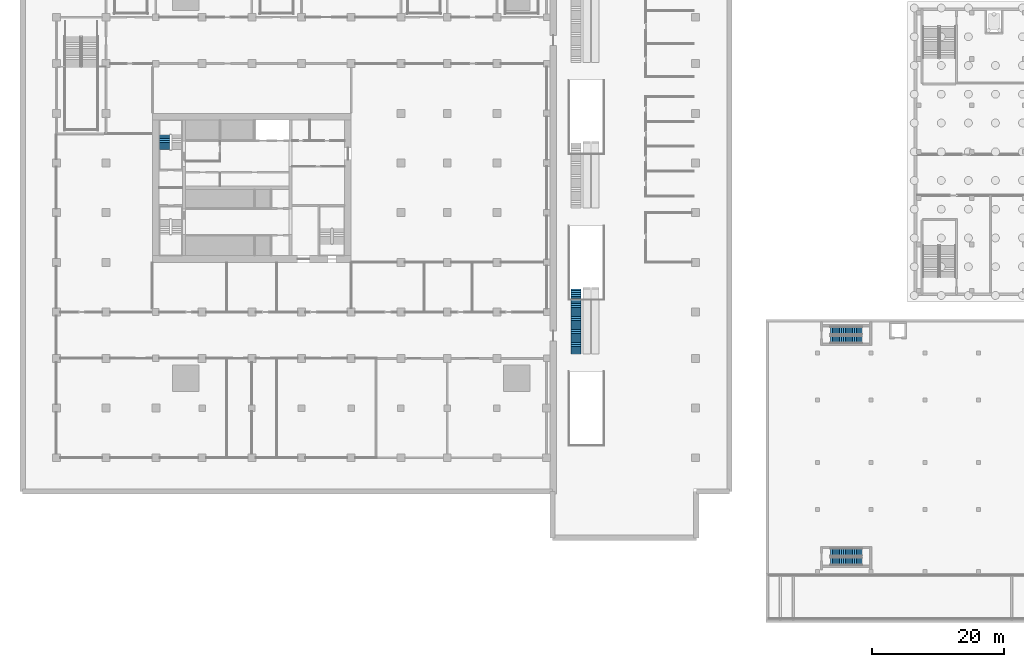
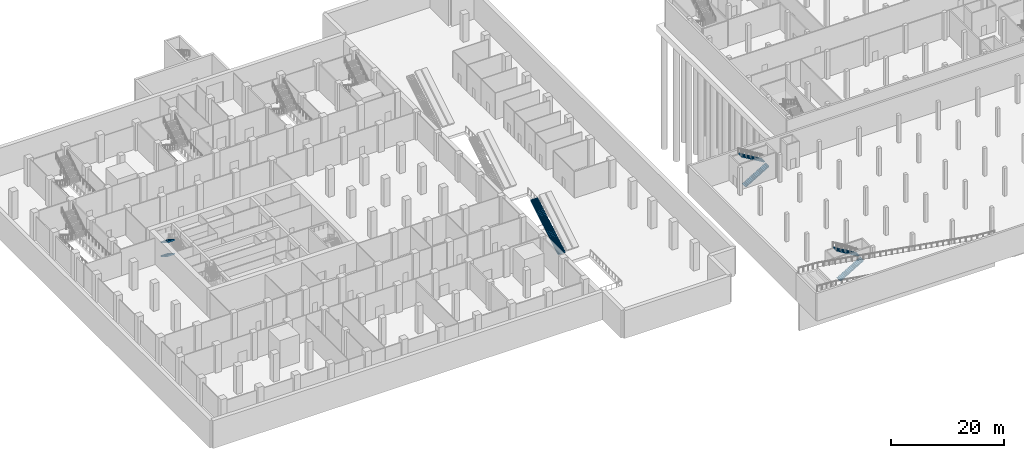
# One storey, part 21 of 45: 7 stair flights, 4 elements without a shape of their own.
"""IFC4 building model written with IfcOpenShell, lengths in metres."""

from ifc_helpers import new_model, si_unit, direction, frame, origin, place, context, subcontext, project, spatial, polyline, outline, extrude, material, type_object, element, aggregate, save


model = new_model("IFC4")

# Units and contexts
model_context = context("Model", 3, precision=1e-05, world=origin(), true_north=direction((0.0, 1.0)))
body_context = subcontext(model_context, "Body", "Model", "MODEL_VIEW")
ifc_project = project(units=[si_unit("LENGTHUNIT", "METRE"), si_unit("AREAUNIT", "SQUARE_METRE"), si_unit("VOLUMEUNIT", "CUBIC_METRE"), si_unit("PLANEANGLEUNIT", "RADIAN"), si_unit("MASSUNIT", "GRAM", prefix="KILO")], contexts=[model_context])

# Site, building, storey
site_placement = place(None, origin())
site = spatial("IfcSite", under=ifc_project, at=site_placement, CompositionType="ELEMENT")
building_placement = place(site_placement, origin())
building = spatial("IfcBuilding", under=site, at=building_placement, Name="Tamorin Gate", CompositionType="ELEMENT")
storey_placement = place(building_placement, frame((0.0, 0.0, -6.0)))
storey = spatial("IfcBuildingStorey", under=building, at=storey_placement, Name="B1", CompositionType="ELEMENT", Elevation=-6.0)

# Stair, stair flights
ifc_material_1 = material(Name="Concrete C40/50", Category="concrete")
stair_type_1 = type_object("IfcStairType", Name="Exit stair", PredefinedType="HALF_TURN_STAIR", material=ifc_material_1)
stair_1_placement = place(storey_placement, origin())
stair_1 = element("IfcStair", 1, at=stair_1_placement, inside=storey, type_object=stair_type_1, Name="B1 stair ST2", PredefinedType="HALF_TURN_STAIR")
stair_flight_type_1 = type_object("IfcStairFlightType", Name="Exit stair flight", PredefinedType="STRAIGHT", material=ifc_material_1)
stair_flight_1_placement = place(storey_placement, frame((31.824951171875, 79.239990234375, 1.5), z_axis=(0.0, 0.0, 1.0), x_axis=(0.0, -1.0, 0.0)))
stair_flight_1 = element("IfcStairFlight", 2, at=stair_flight_1_placement, type_object=stair_flight_type_1, Name="ST2 flight 2", NumberOfRisers=9, NumberOfTreads=8, PredefinedType="STRAIGHT", RiserHeight=0.166666667, TreadLength=0.28, context=body_context, shape_type="SweptSolid", body=[
    extrude(outline(polyline([(-0.00048828125, 0.0), (-0.00048828125, 0.001708984375), (-0.00048828125, 0.00341796875), (-0.00048828125, 0.0048828125), (-0.00048828125, 0.006591796875), (-0.00048828125, 0.00830078125), (-0.00048828125, 0.010009765625), (-0.00048828125, 0.011474609375), (-0.00048828125, 0.01318359375), (-0.00048828125, 0.014892578125), (-0.00048828125, 0.0166015625), (-0.00048828125, 0.01806640625), (-0.00048828125, 0.019775390625), (-0.00048828125, 0.021484375), (-0.00048828125, 0.023193359375), (-0.00048828125, 0.024658203125), (-0.00048828125, 0.0263671875), (-0.00048828125, 0.028076171875), (-0.00048828125, 0.02978515625), (-0.00048828125, 0.03125), (-0.00048828125, 0.032958984375), (-0.00048828125, 0.03466796875), (-0.00048828125, 0.036376953125), (-0.00048828125, 0.037841796875), (-0.00048828125, 0.03955078125), (-0.00048828125, 0.041259765625), (-0.00048828125, 0.04296875), (-0.00048828125, 0.04443359375), (-0.00048828125, 0.046142578125), (-0.00048828125, 0.0478515625), (-0.00048828125, 0.049560546875), (-0.00048828125, 0.05126953125), (-0.00048828125, 0.052734375), (-0.00048828125, 0.054443359375), (-0.00048828125, 0.05615234375), (-0.00048828125, 0.057861328125), (-0.00048828125, 0.059326171875), (-0.00048828125, 0.06103515625), (-0.00048828125, 0.062744140625), (-0.00048828125, 0.064453125), (-0.00048828125, 0.06591796875), (-0.00048828125, 0.067626953125), (-0.00048828125, 0.0693359375), (-0.00048828125, 0.071044921875), (-0.00048828125, 0.072509765625), (-0.00048828125, 0.07421875), (-0.00048828125, 0.075927734375), (-0.00048828125, 0.07763671875), (-0.00048828125, 0.0791015625), (-0.00048828125, 0.080810546875), (-0.00048828125, 0.08251953125), (-0.00048828125, 0.084228515625), (-0.00048828125, 0.085693359375), (-0.00048828125, 0.08740234375), (-0.00048828125, 0.089111328125), (-0.00048828125, 0.0908203125), (-0.00048828125, 0.092529296875), (-0.00048828125, 0.093994140625), (-0.00048828125, 0.095703125), (-0.00048828125, 0.097412109375), (-0.00048828125, 0.09912109375), (-0.00048828125, 0.1005859375), (-0.00048828125, 0.102294921875), (-0.00048828125, 0.10400390625), (-0.00048828125, 0.105712890625), (-0.00048828125, 0.107177734375), (-0.00048828125, 0.10888671875), (-0.00048828125, 0.110595703125), (-0.00048828125, 0.1123046875), (-0.00048828125, 0.11376953125), (-0.00048828125, 0.115478515625), (-0.00048828125, 0.1171875), (-0.00048828125, 0.118896484375), (-0.00048828125, 0.120361328125), (-0.00048828125, 0.1220703125), (-0.00048828125, 0.123779296875), (-0.00048828125, 0.12548828125), (-0.00048828125, 0.126953125), (-0.00048828125, 0.128662109375), (-0.00048828125, 0.13037109375), (-0.00048828125, 0.132080078125), (-0.00048828125, 0.133544921875), (-0.00048828125, 0.13525390625), (-0.00048828125, 0.136962890625), (-0.00048828125, 0.138671875), (-0.00048828125, 0.140380859375), (-0.00048828125, 0.141845703125), (-0.00048828125, 0.1435546875), (-0.00048828125, 0.145263671875), (-0.00048828125, 0.14697265625), (-0.00048828125, 0.1484375), (-0.00048828125, 0.150146484375), (-0.00048828125, 0.15185546875), (-0.00048828125, 0.153564453125), (-0.00048828125, 0.155029296875), (-0.00048828125, 0.15673828125), (-0.00048828125, 0.158447265625), (-0.00048828125, 0.16015625), (-0.00048828125, 0.16162109375), (-0.00048828125, 0.163330078125), (-0.00048828125, 0.1650390625), (-0.00048828125, 0.166748046875), (0.280029296875, 0.166748046875), (0.280029296875, 0.333251953125), (0.56005859375, 0.333251953125), (0.56005859375, 0.5), (0.840087890625, 0.5), (0.840087890625, 0.666748046875), (1.1201171875, 0.666748046875), (1.1201171875, 0.833251953125), (1.39990234375, 0.833251953125), (1.39990234375, 1.0), (1.679931640625, 1.0), (1.679931640625, 1.166748046875), (1.9599609375, 1.166748046875), (1.9599609375, 1.333251953125), (2.239990234375, 1.333251953125), (2.239990234375, 1.5), (2.240478515625, 1.5), (2.240478515625, 1.49658203125), (2.240478515625, 1.4931640625), (2.240478515625, 1.48974609375), (2.240478515625, 1.486572265625), (2.240478515625, 1.483154296875), (2.240478515625, 1.479736328125), (2.240478515625, 1.476318359375), (2.240478515625, 1.472900390625), (2.240478515625, 1.469482421875), (2.240478515625, 1.46630859375), (2.240478515625, 1.462890625), (2.240478515625, 1.45947265625), (2.240478515625, 1.4560546875), (2.240478515625, 1.45263671875), (2.240478515625, 1.44921875), (2.240478515625, 1.446044921875), (2.240478515625, 1.442626953125), (2.240478515625, 1.439208984375), (2.240478515625, 1.435791015625), (2.240478515625, 1.432373046875), (2.240478515625, 1.428955078125), (2.240478515625, 1.42578125), (2.240478515625, 1.42236328125), (2.240478515625, 1.4189453125), (2.240478515625, 1.41552734375), (2.240478515625, 1.412109375), (2.240478515625, 1.40869140625), (2.240478515625, 1.405517578125), (2.240478515625, 1.402099609375), (2.240478515625, 1.398681640625), (2.240478515625, 1.395263671875), (2.240478515625, 1.391845703125), (2.240478515625, 1.388427734375), (2.240478515625, 1.38525390625), (2.240478515625, 1.3818359375), (2.240478515625, 1.37841796875), (2.240478515625, 1.375), (2.240478515625, 1.37158203125), (2.240478515625, 1.3681640625), (2.240478515625, 1.364990234375), (2.240478515625, 1.361572265625), (2.240478515625, 1.358154296875), (2.240478515625, 1.354736328125), (2.240478515625, 1.351318359375), (2.240478515625, 1.347900390625), (2.240478515625, 1.3447265625), (2.240478515625, 1.34130859375), (2.240478515625, 1.337890625), (2.240478515625, 1.33447265625), (2.240478515625, 1.3310546875), (2.240478515625, 1.32763671875), (2.240478515625, 1.324462890625), (2.240478515625, 1.321044921875), (2.240478515625, 1.317626953125), (2.240478515625, 1.314208984375), (2.240478515625, 1.310791015625), (2.240478515625, 1.307373046875), (2.240478515625, 1.30419921875), (2.240478515625, 1.30078125), (2.240478515625, 1.29736328125), (2.240478515625, 1.2939453125), (2.240478515625, 1.29052734375), (2.240478515625, 1.287109375), (2.240478515625, 1.283935546875), (2.240478515625, 1.280517578125), (2.240478515625, 1.277099609375), (2.240478515625, 1.273681640625), (2.240478515625, 1.270263671875), (2.240478515625, 1.266845703125), (2.240478515625, 1.263671875), (2.240478515625, 1.26025390625), (2.240478515625, 1.2568359375), (2.240478515625, 1.25341796875), (2.240478515625, 1.25), (2.240478515625, 1.24658203125), (2.240478515625, 1.243408203125), (2.240478515625, 1.239990234375), (2.240478515625, 1.236572265625), (2.240478515625, 1.233154296875), (2.240478515625, 1.229736328125), (2.240478515625, 1.226318359375), (2.240478515625, 1.22314453125), (2.240478515625, 1.2197265625), (2.240478515625, 1.21630859375), (2.240478515625, 1.212890625), (2.240478515625, 1.20947265625), (2.240478515625, 1.2060546875), (2.240478515625, 1.202880859375), (2.240478515625, 1.199462890625), (2.240478515625, 1.196044921875), (2.240478515625, 1.192626953125), (2.240478515625, 1.189208984375), (2.240478515625, 1.185791015625), (2.240478515625, 1.1826171875), (2.240478515625, 1.17919921875), (2.240478515625, 1.17578125), (2.240478515625, 1.17236328125), (2.240478515625, 1.1689453125), (2.240478515625, 1.16552734375), (2.240478515625, 1.162353515625), (2.240478515625, 1.158935546875), (2.239990234375, 1.158935546875), (0.29296875, 0.0), (-0.00048828125, 0.0)])), frame((0.0, 0.824951171875, 0.0), z_axis=(0.0, -1.0, 0.0), x_axis=(1.0, 0.0, 0.0)), (0.0, 0.0, 1.0), 1.64990234375),
])
stair_flight_2_placement = place(storey_placement, frame((31.824951171875, 79.239990234375, 4.5), z_axis=(0.0, 0.0, 1.0), x_axis=(0.0, -1.0, 0.0)))
stair_flight_2 = element("IfcStairFlight", 3, at=stair_flight_2_placement, type_object=stair_flight_type_1, Name="ST2 flight 4", NumberOfRisers=9, NumberOfTreads=8, PredefinedType="STRAIGHT", RiserHeight=0.166666667, TreadLength=0.28, context=body_context, shape_type="SweptSolid", body=[
    extrude(outline(polyline([(-0.00048828125, 0.0), (-0.00048828125, 0.001708984375), (-0.00048828125, 0.00341796875), (-0.00048828125, 0.0048828125), (-0.00048828125, 0.006591796875), (-0.00048828125, 0.00830078125), (-0.00048828125, 0.010009765625), (-0.00048828125, 0.011474609375), (-0.00048828125, 0.01318359375), (-0.00048828125, 0.014892578125), (-0.00048828125, 0.0166015625), (-0.00048828125, 0.01806640625), (-0.00048828125, 0.019775390625), (-0.00048828125, 0.021484375), (-0.00048828125, 0.023193359375), (-0.00048828125, 0.024658203125), (-0.00048828125, 0.0263671875), (-0.00048828125, 0.028076171875), (-0.00048828125, 0.02978515625), (-0.00048828125, 0.03125), (-0.00048828125, 0.032958984375), (-0.00048828125, 0.03466796875), (-0.00048828125, 0.036376953125), (-0.00048828125, 0.037841796875), (-0.00048828125, 0.03955078125), (-0.00048828125, 0.041259765625), (-0.00048828125, 0.04296875), (-0.00048828125, 0.04443359375), (-0.00048828125, 0.046142578125), (-0.00048828125, 0.0478515625), (-0.00048828125, 0.049560546875), (-0.00048828125, 0.05126953125), (-0.00048828125, 0.052734375), (-0.00048828125, 0.054443359375), (-0.00048828125, 0.05615234375), (-0.00048828125, 0.057861328125), (-0.00048828125, 0.059326171875), (-0.00048828125, 0.06103515625), (-0.00048828125, 0.062744140625), (-0.00048828125, 0.064453125), (-0.00048828125, 0.06591796875), (-0.00048828125, 0.067626953125), (-0.00048828125, 0.0693359375), (-0.00048828125, 0.071044921875), (-0.00048828125, 0.072509765625), (-0.00048828125, 0.07421875), (-0.00048828125, 0.075927734375), (-0.00048828125, 0.07763671875), (-0.00048828125, 0.0791015625), (-0.00048828125, 0.080810546875), (-0.00048828125, 0.08251953125), (-0.00048828125, 0.084228515625), (-0.00048828125, 0.085693359375), (-0.00048828125, 0.08740234375), (-0.00048828125, 0.089111328125), (-0.00048828125, 0.0908203125), (-0.00048828125, 0.092529296875), (-0.00048828125, 0.093994140625), (-0.00048828125, 0.095703125), (-0.00048828125, 0.097412109375), (-0.00048828125, 0.09912109375), (-0.00048828125, 0.1005859375), (-0.00048828125, 0.102294921875), (-0.00048828125, 0.10400390625), (-0.00048828125, 0.105712890625), (-0.00048828125, 0.107177734375), (-0.00048828125, 0.10888671875), (-0.00048828125, 0.110595703125), (-0.00048828125, 0.1123046875), (-0.00048828125, 0.11376953125), (-0.00048828125, 0.115478515625), (-0.00048828125, 0.1171875), (-0.00048828125, 0.118896484375), (-0.00048828125, 0.120361328125), (-0.00048828125, 0.1220703125), (-0.00048828125, 0.123779296875), (-0.00048828125, 0.12548828125), (-0.00048828125, 0.126953125), (-0.00048828125, 0.128662109375), (-0.00048828125, 0.13037109375), (-0.00048828125, 0.132080078125), (-0.00048828125, 0.133544921875), (-0.00048828125, 0.13525390625), (-0.00048828125, 0.136962890625), (-0.00048828125, 0.138671875), (-0.00048828125, 0.140380859375), (-0.00048828125, 0.141845703125), (-0.00048828125, 0.1435546875), (-0.00048828125, 0.145263671875), (-0.00048828125, 0.14697265625), (-0.00048828125, 0.1484375), (-0.00048828125, 0.150146484375), (-0.00048828125, 0.15185546875), (-0.00048828125, 0.153564453125), (-0.00048828125, 0.155029296875), (-0.00048828125, 0.15673828125), (-0.00048828125, 0.158447265625), (-0.00048828125, 0.16015625), (-0.00048828125, 0.16162109375), (-0.00048828125, 0.163330078125), (-0.00048828125, 0.1650390625), (-0.00048828125, 0.166748046875), (0.280029296875, 0.166748046875), (0.280029296875, 0.333251953125), (0.56005859375, 0.333251953125), (0.56005859375, 0.5), (0.840087890625, 0.5), (0.840087890625, 0.666748046875), (1.1201171875, 0.666748046875), (1.1201171875, 0.833251953125), (1.39990234375, 0.833251953125), (1.39990234375, 1.0), (1.679931640625, 1.0), (1.679931640625, 1.166748046875), (1.9599609375, 1.166748046875), (1.9599609375, 1.333251953125), (2.239990234375, 1.333251953125), (2.239990234375, 1.5), (2.240478515625, 1.5), (2.240478515625, 1.49658203125), (2.240478515625, 1.4931640625), (2.240478515625, 1.48974609375), (2.240478515625, 1.486572265625), (2.240478515625, 1.483154296875), (2.240478515625, 1.479736328125), (2.240478515625, 1.476318359375), (2.240478515625, 1.472900390625), (2.240478515625, 1.469482421875), (2.240478515625, 1.46630859375), (2.240478515625, 1.462890625), (2.240478515625, 1.45947265625), (2.240478515625, 1.4560546875), (2.240478515625, 1.45263671875), (2.240478515625, 1.44921875), (2.240478515625, 1.446044921875), (2.240478515625, 1.442626953125), (2.240478515625, 1.439208984375), (2.240478515625, 1.435791015625), (2.240478515625, 1.432373046875), (2.240478515625, 1.428955078125), (2.240478515625, 1.42578125), (2.240478515625, 1.42236328125), (2.240478515625, 1.4189453125), (2.240478515625, 1.41552734375), (2.240478515625, 1.412109375), (2.240478515625, 1.40869140625), (2.240478515625, 1.405517578125), (2.240478515625, 1.402099609375), (2.240478515625, 1.398681640625), (2.240478515625, 1.395263671875), (2.240478515625, 1.391845703125), (2.240478515625, 1.388427734375), (2.240478515625, 1.38525390625), (2.240478515625, 1.3818359375), (2.240478515625, 1.37841796875), (2.240478515625, 1.375), (2.240478515625, 1.37158203125), (2.240478515625, 1.3681640625), (2.240478515625, 1.364990234375), (2.240478515625, 1.361572265625), (2.240478515625, 1.358154296875), (2.240478515625, 1.354736328125), (2.240478515625, 1.351318359375), (2.240478515625, 1.347900390625), (2.240478515625, 1.3447265625), (2.240478515625, 1.34130859375), (2.240478515625, 1.337890625), (2.240478515625, 1.33447265625), (2.240478515625, 1.3310546875), (2.240478515625, 1.32763671875), (2.240478515625, 1.324462890625), (2.240478515625, 1.321044921875), (2.240478515625, 1.317626953125), (2.240478515625, 1.314208984375), (2.240478515625, 1.310791015625), (2.240478515625, 1.307373046875), (2.240478515625, 1.30419921875), (2.240478515625, 1.30078125), (2.240478515625, 1.29736328125), (2.240478515625, 1.2939453125), (2.240478515625, 1.29052734375), (2.240478515625, 1.287109375), (2.240478515625, 1.283935546875), (2.240478515625, 1.280517578125), (2.240478515625, 1.277099609375), (2.240478515625, 1.273681640625), (2.240478515625, 1.270263671875), (2.240478515625, 1.266845703125), (2.240478515625, 1.263671875), (2.240478515625, 1.26025390625), (2.240478515625, 1.2568359375), (2.240478515625, 1.25341796875), (2.240478515625, 1.25), (2.240478515625, 1.24658203125), (2.240478515625, 1.243408203125), (2.240478515625, 1.239990234375), (2.240478515625, 1.236572265625), (2.240478515625, 1.233154296875), (2.240478515625, 1.229736328125), (2.240478515625, 1.226318359375), (2.240478515625, 1.22314453125), (2.240478515625, 1.2197265625), (2.240478515625, 1.21630859375), (2.240478515625, 1.212890625), (2.240478515625, 1.20947265625), (2.240478515625, 1.2060546875), (2.240478515625, 1.202880859375), (2.240478515625, 1.199462890625), (2.240478515625, 1.196044921875), (2.240478515625, 1.192626953125), (2.240478515625, 1.189208984375), (2.240478515625, 1.185791015625), (2.240478515625, 1.1826171875), (2.240478515625, 1.17919921875), (2.240478515625, 1.17578125), (2.240478515625, 1.17236328125), (2.240478515625, 1.1689453125), (2.240478515625, 1.16552734375), (2.240478515625, 1.162353515625), (2.240478515625, 1.158935546875), (2.239990234375, 1.158935546875), (0.29296875, 0.0), (-0.00048828125, 0.0)])), frame((0.0, 0.824951171875, 0.0), z_axis=(0.0, -1.0, 0.0), x_axis=(1.0, 0.0, 0.0)), (0.0, 0.0, 1.0), 1.64990234375),
])
aggregate(stair_1, [stair_flight_1, stair_flight_2])

stair_type_2 = type_object("IfcStairType", Name="Exit stair 1200 C40/50", PredefinedType="HALF_TURN_STAIR", material=ifc_material_1)
stair_2_placement = place(storey_placement, origin())
stair_2 = element("IfcStair", 4, at=stair_2_placement, inside=storey, type_object=stair_type_2, Name="B1 SB6", PredefinedType="HALF_TURN_STAIR")
stair_flight_type_2 = type_object("IfcStairFlightType", Name="Exit stair flight 1200 C40/50", PredefinedType="STRAIGHT", material=ifc_material_1)
stair_flight_3_placement = place(storey_placement, frame((132.35009765625, 14.85009765625, 0.0), z_axis=(0.0, 0.0, 1.0), x_axis=(1.0, 0.0, 0.0)))
stair_flight_3 = element("IfcStairFlight", 5, at=stair_flight_3_placement, type_object=stair_flight_type_2, Name="SB6 flight 1", NumberOfRisers=18, NumberOfTreads=17, PredefinedType="STRAIGHT", RiserHeight=0.166666667, TreadLength=0.28, context=body_context, shape_type="SweptSolid", body=[
    extrude(outline(polyline([(-0.00048828125, 0.0), (-0.00048828125, 0.166748046875), (0.280029296875, 0.166748046875), (0.280029296875, 0.333251953125), (0.56005859375, 0.333251953125), (0.56005859375, 0.5), (0.840087890625, 0.5), (0.840087890625, 0.666748046875), (1.1201171875, 0.666748046875), (1.1201171875, 0.833251953125), (1.39990234375, 0.833251953125), (1.39990234375, 1.0), (1.679931640625, 1.0), (1.679931640625, 1.166748046875), (1.9599609375, 1.166748046875), (1.9599609375, 1.333251953125), (2.239990234375, 1.333251953125), (2.239990234375, 1.5), (2.52001953125, 1.5), (2.52001953125, 1.666748046875), (2.800048828125, 1.666748046875), (2.800048828125, 1.833251953125), (3.080078125, 1.833251953125), (3.080078125, 2.0), (3.360107421875, 2.0), (3.360107421875, 2.166748046875), (3.639892578125, 2.166748046875), (3.639892578125, 2.333251953125), (3.919921875, 2.333251953125), (3.919921875, 2.5), (4.199951171875, 2.5), (4.199951171875, 2.666748046875), (4.47998046875, 2.666748046875), (4.47998046875, 2.833251953125), (4.760009765625, 2.833251953125), (4.760009765625, 3.0), (4.760498046875, 3.0), (4.760498046875, 2.658935546875), (4.760009765625, 2.658935546875), (0.29296875, 0.0), (-0.00048828125, 0.0)])), frame((0.0, 0.60009765625, 0.0), z_axis=(0.0, -1.0, 0.0), x_axis=(1.0, 0.0, 0.0)), (0.0, 0.0, 1.0), 1.199951171875),
])
stair_flight_4_placement = place(storey_placement, frame((137.110107421875, 16.199951171875, 3.0), z_axis=(0.0, 0.0, 1.0), x_axis=(-1.0, 0.0, 0.0)))
stair_flight_4 = element("IfcStairFlight", 6, at=stair_flight_4_placement, type_object=stair_flight_type_2, Name="SB6 flight 2", NumberOfRisers=18, NumberOfTreads=17, PredefinedType="STRAIGHT", RiserHeight=0.166666667, TreadLength=0.28, context=body_context, shape_type="SweptSolid", body=[
    extrude(outline(polyline([(-0.00048828125, 0.0), (-0.00048828125, 0.166748046875), (0.280029296875, 0.166748046875), (0.280029296875, 0.333251953125), (0.56005859375, 0.333251953125), (0.56005859375, 0.5), (0.840087890625, 0.5), (0.840087890625, 0.666748046875), (1.1201171875, 0.666748046875), (1.1201171875, 0.833251953125), (1.39990234375, 0.833251953125), (1.39990234375, 1.0), (1.679931640625, 1.0), (1.679931640625, 1.166748046875), (1.9599609375, 1.166748046875), (1.9599609375, 1.333251953125), (2.239990234375, 1.333251953125), (2.239990234375, 1.5), (2.52001953125, 1.5), (2.52001953125, 1.666748046875), (2.800048828125, 1.666748046875), (2.800048828125, 1.833251953125), (3.080078125, 1.833251953125), (3.080078125, 2.0), (3.360107421875, 2.0), (3.360107421875, 2.166748046875), (3.639892578125, 2.166748046875), (3.639892578125, 2.333251953125), (3.919921875, 2.333251953125), (3.919921875, 2.5), (4.199951171875, 2.5), (4.199951171875, 2.666748046875), (4.47998046875, 2.666748046875), (4.47998046875, 2.833251953125), (4.760009765625, 2.833251953125), (4.760009765625, 3.0), (4.760498046875, 3.0), (4.760498046875, 2.658935546875), (4.760009765625, 2.658935546875), (0.29296875, 0.0), (-0.00048828125, 0.0)])), frame((0.0, 0.60009765625, 0.0), z_axis=(0.0, -1.0, 0.0), x_axis=(1.0, 0.0, 0.0)), (0.0, 0.0, 1.0), 1.199951171875),
])
aggregate(stair_2, [stair_flight_3, stair_flight_4])

stair_3_placement = place(storey_placement, origin())
stair_3 = element("IfcStair", 7, at=stair_3_placement, inside=storey, type_object=stair_type_2, Name="B1 SB7", PredefinedType="HALF_TURN_STAIR")
stair_flight_5_placement = place(storey_placement, frame((132.35009765625, 48.35009765625, 0.0), z_axis=(0.0, 0.0, 1.0), x_axis=(1.0, 0.0, 0.0)))
stair_flight_5 = element("IfcStairFlight", 8, at=stair_flight_5_placement, type_object=stair_flight_type_2, Name="SB7 flight 1", NumberOfRisers=18, NumberOfTreads=17, PredefinedType="STRAIGHT", RiserHeight=0.166666667, TreadLength=0.28, context=body_context, shape_type="SweptSolid", body=[
    extrude(outline(polyline([(-0.00048828125, 0.0), (-0.00048828125, 0.166748046875), (0.280029296875, 0.166748046875), (0.280029296875, 0.333251953125), (0.56005859375, 0.333251953125), (0.56005859375, 0.5), (0.840087890625, 0.5), (0.840087890625, 0.666748046875), (1.1201171875, 0.666748046875), (1.1201171875, 0.833251953125), (1.39990234375, 0.833251953125), (1.39990234375, 1.0), (1.679931640625, 1.0), (1.679931640625, 1.166748046875), (1.9599609375, 1.166748046875), (1.9599609375, 1.333251953125), (2.239990234375, 1.333251953125), (2.239990234375, 1.5), (2.52001953125, 1.5), (2.52001953125, 1.666748046875), (2.800048828125, 1.666748046875), (2.800048828125, 1.833251953125), (3.080078125, 1.833251953125), (3.080078125, 2.0), (3.360107421875, 2.0), (3.360107421875, 2.166748046875), (3.639892578125, 2.166748046875), (3.639892578125, 2.333251953125), (3.919921875, 2.333251953125), (3.919921875, 2.5), (4.199951171875, 2.5), (4.199951171875, 2.666748046875), (4.47998046875, 2.666748046875), (4.47998046875, 2.833251953125), (4.760009765625, 2.833251953125), (4.760009765625, 3.0), (4.760498046875, 3.0), (4.760498046875, 2.658935546875), (4.760009765625, 2.658935546875), (0.29296875, 0.0), (-0.00048828125, 0.0)])), frame((0.0, 0.60009765625, 0.0), z_axis=(0.0, -1.0, 0.0), x_axis=(1.0, 0.0, 0.0)), (0.0, 0.0, 1.0), 1.199951171875),
])
stair_flight_6_placement = place(storey_placement, frame((137.110107421875, 49.699951171875, 3.0), z_axis=(0.0, 0.0, 1.0), x_axis=(-1.0, 0.0, 0.0)))
stair_flight_6 = element("IfcStairFlight", 9, at=stair_flight_6_placement, type_object=stair_flight_type_2, Name="SB7 flight 2", NumberOfRisers=18, NumberOfTreads=17, PredefinedType="STRAIGHT", RiserHeight=0.166666667, TreadLength=0.28, context=body_context, shape_type="SweptSolid", body=[
    extrude(outline(polyline([(-0.00048828125, 0.0), (-0.00048828125, 0.166748046875), (0.280029296875, 0.166748046875), (0.280029296875, 0.333251953125), (0.56005859375, 0.333251953125), (0.56005859375, 0.5), (0.840087890625, 0.5), (0.840087890625, 0.666748046875), (1.1201171875, 0.666748046875), (1.1201171875, 0.833251953125), (1.39990234375, 0.833251953125), (1.39990234375, 1.0), (1.679931640625, 1.0), (1.679931640625, 1.166748046875), (1.9599609375, 1.166748046875), (1.9599609375, 1.333251953125), (2.239990234375, 1.333251953125), (2.239990234375, 1.5), (2.52001953125, 1.5), (2.52001953125, 1.666748046875), (2.800048828125, 1.666748046875), (2.800048828125, 1.833251953125), (3.080078125, 1.833251953125), (3.080078125, 2.0), (3.360107421875, 2.0), (3.360107421875, 2.166748046875), (3.639892578125, 2.166748046875), (3.639892578125, 2.333251953125), (3.919921875, 2.333251953125), (3.919921875, 2.5), (4.199951171875, 2.5), (4.199951171875, 2.666748046875), (4.47998046875, 2.666748046875), (4.47998046875, 2.833251953125), (4.760009765625, 2.833251953125), (4.760009765625, 3.0), (4.760498046875, 3.0), (4.760498046875, 2.658935546875), (4.760009765625, 2.658935546875), (0.29296875, 0.0), (-0.00048828125, 0.0)])), frame((0.0, 0.60009765625, 0.0), z_axis=(0.0, -1.0, 0.0), x_axis=(1.0, 0.0, 0.0)), (0.0, 0.0, 1.0), 1.199951171875),
])
aggregate(stair_3, [stair_flight_5, stair_flight_6])

# Stair, stair flight
ifc_material_2 = material(Name="Reinforced concrete C40/50", Category="concrete")
stair_type_3 = type_object("IfcStairType", Name="Station stair 1500", PredefinedType="STRAIGHT_RUN_STAIR", material=ifc_material_2)
stair_4_placement = place(storey_placement, origin())
stair_4 = element("IfcStair", 10, at=stair_4_placement, inside=storey, type_object=stair_type_3, Name="Station stair A1", PredefinedType="STRAIGHT_RUN_STAIR")
stair_flight_type_3 = type_object("IfcStairFlightType", Name="Station stair flight 1500", PredefinedType="STRAIGHT", material=ifc_material_2)
stair_flight_7_placement = place(storey_placement, frame((93.949951171875, 46.199951171875, 0.0), z_axis=(0.0, 0.0, 1.0), x_axis=(0.0, 1.0, 0.0)))
stair_flight_7 = element("IfcStairFlight", 11, at=stair_flight_7_placement, type_object=stair_flight_type_3, Name="SS1 flight 1", NumberOfRisers=36, NumberOfTreads=35, PredefinedType="STRAIGHT", RiserHeight=0.166666667, TreadLength=0.28, context=body_context, shape_type="SweptSolid", body=[
    extrude(outline(polyline([(-0.00048828125, 0.0), (-0.00048828125, 0.166748046875), (0.280029296875, 0.166748046875), (0.280029296875, 0.333251953125), (0.56005859375, 0.333251953125), (0.56005859375, 0.5), (0.840087890625, 0.5), (0.840087890625, 0.666748046875), (1.1201171875, 0.666748046875), (1.1201171875, 0.833251953125), (1.39990234375, 0.833251953125), (1.39990234375, 1.0), (1.679931640625, 1.0), (1.679931640625, 1.166748046875), (1.9599609375, 1.166748046875), (1.9599609375, 1.333251953125), (2.239990234375, 1.333251953125), (2.239990234375, 1.5), (2.52001953125, 1.5), (2.52001953125, 1.666748046875), (2.800048828125, 1.666748046875), (2.800048828125, 1.833251953125), (3.080078125, 1.833251953125), (3.080078125, 2.0), (3.360107421875, 2.0), (3.360107421875, 2.166748046875), (3.639892578125, 2.166748046875), (3.639892578125, 2.333251953125), (3.919921875, 2.333251953125), (3.919921875, 2.5), (4.199951171875, 2.5), (4.199951171875, 2.666748046875), (4.47998046875, 2.666748046875), (4.47998046875, 2.833251953125), (4.760009765625, 2.833251953125), (4.760009765625, 3.0), (5.0400390625, 3.0), (5.0400390625, 3.166748046875), (5.320068359375, 3.166748046875), (5.320068359375, 3.333251953125), (5.60009765625, 3.333251953125), (5.60009765625, 3.5), (5.8798828125, 3.5), (5.8798828125, 3.666748046875), (6.159912109375, 3.666748046875), (6.159912109375, 3.833251953125), (6.43994140625, 3.833251953125), (6.43994140625, 4.0), (6.719970703125, 4.0), (6.719970703125, 4.166748046875), (7.0, 4.166748046875), (7.0, 4.333251953125), (7.280029296875, 4.333251953125), (7.280029296875, 4.5), (7.56005859375, 4.5), (7.56005859375, 4.666748046875), (7.840087890625, 4.666748046875), (7.840087890625, 4.833251953125), (8.1201171875, 4.833251953125), (8.1201171875, 5.0), (8.39990234375, 5.0), (8.39990234375, 5.166748046875), (8.679931640625, 5.166748046875), (8.679931640625, 5.333251953125), (8.9599609375, 5.333251953125), (8.9599609375, 5.5), (9.239990234375, 5.5), (9.239990234375, 5.666748046875), (9.52001953125, 5.666748046875), (9.52001953125, 5.833251953125), (9.800048828125, 5.833251953125), (9.800048828125, 6.0), (9.800537109375, 6.0), (9.800537109375, 5.658935546875), (9.800048828125, 5.658935546875), (0.29296875, 0.0), (-0.00048828125, 0.0)])), frame((0.0, 0.75, 0.0), z_axis=(0.0, -1.0, 0.0), x_axis=(1.0, 0.0, 0.0)), (0.0, 0.0, 1.0), 1.5),
])
aggregate(stair_4, [stair_flight_7])

save(model, "model.ifc")
